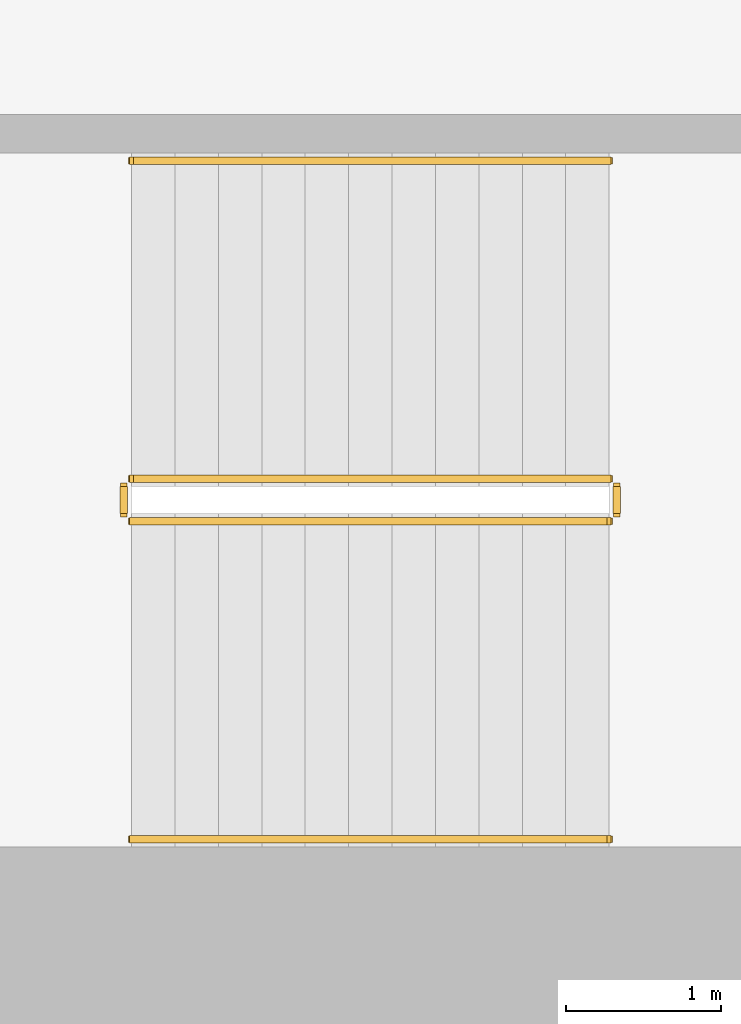
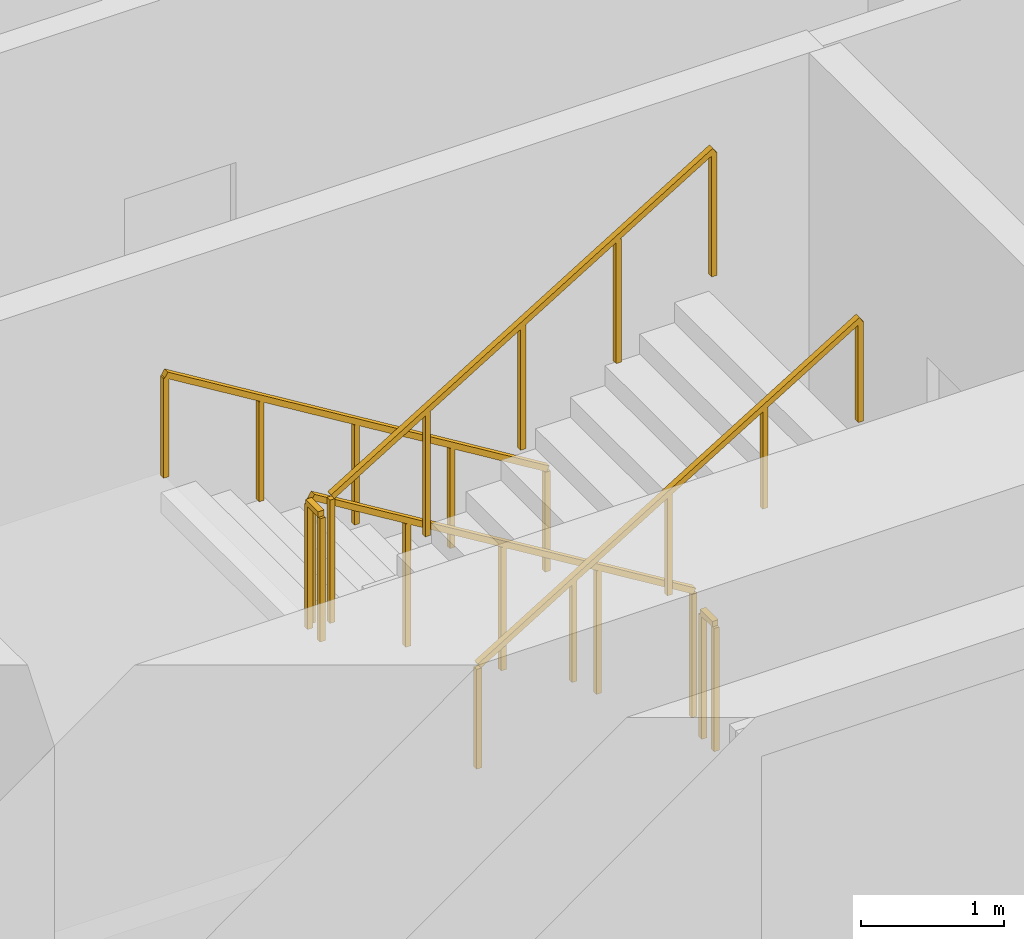
# One storey, part 11 of 15: 6 railings.
"""IFC4 building model written with IfcOpenShell, lengths in metres."""

from ifc_helpers import new_model, si_unit, direction, frame, origin, origin_2d, place, context, subcontext, project, spatial, rectangle, extrude, material, type_object, element, save


model = new_model("IFC4")

# Units and contexts
model_context = context("Model", 3, precision=1e-05, world=origin(), true_north=direction((0.0, 1.0)))
body_context = subcontext(model_context, "Body", "Model", "MODEL_VIEW")
ifc_project = project(units=[si_unit("LENGTHUNIT", "METRE"), si_unit("AREAUNIT", "SQUARE_METRE"), si_unit("VOLUMEUNIT", "CUBIC_METRE"), si_unit("PLANEANGLEUNIT", "RADIAN"), si_unit("MASSUNIT", "GRAM", prefix="KILO")], contexts=[model_context])

# Site, building, storey
site_placement = place(None, origin())
site = spatial("IfcSite", under=ifc_project, at=site_placement, CompositionType="ELEMENT")
building_placement = place(site_placement, origin())
building = spatial("IfcBuilding", under=site, at=building_placement, Name="Cypress Arch Tower", CompositionType="ELEMENT")
storey_placement = place(building_placement, frame((0.0, 0.0, 205.60009765625)))
storey = spatial("IfcBuildingStorey", under=building, at=storey_placement, Name="L45", CompositionType="ELEMENT", Elevation=205.60009765625)

# Railings
ifc_material_1 = material(Name="Black powder-coated steel square bar 48 mm", Category="steel")
railing_type_1 = type_object("IfcRailingType", Name="Stair handrail HR1", PredefinedType="HANDRAIL", material=ifc_material_1)
railing_1_placement = place(storey_placement, frame((-22.27490234375, -10.375, 0.170654296875)))
element("IfcRailing", 1, at=railing_1_placement, inside=storey, type_object=railing_type_1, Name="L45 A stair handrail 1", PredefinedType="HANDRAIL", context=body_context, shape_type="SweptSolid", body=[
    extrude(rectangle(XDim=0.048095703125, YDim=0.048095703125, at=origin_2d()), frame((0.0, 0.0, 0.8759765625), z_axis=(-0.853666305674, 0.0, 0.52082035152), x_axis=(0.0, -1.0, 0.0)), (0.0, 0.0, 1.0), 3.608154296875),
    extrude(rectangle(XDim=0.0419921875, YDim=0.0419921875, at=origin_2d()), origin(), (0.0, 0.0, 1.0), 0.851806640625),
    extrude(rectangle(XDim=0.0419921875, YDim=0.0419921875, at=origin_2d()), frame((-0.77001953125, 0.0, 0.4697265625)), (0.0, 0.0, 1.0), 0.851806640625),
    extrude(rectangle(XDim=0.0419921875, YDim=0.0419921875, at=origin_2d()), frame((-1.5400390625, 0.0, 0.939453125)), (0.0, 0.0, 1.0), 0.851806640625),
    extrude(rectangle(XDim=0.0419921875, YDim=0.0419921875, at=origin_2d()), frame((-2.31005859375, 0.0, 1.409423828125)), (0.0, 0.0, 1.0), 0.851806640625),
    extrude(rectangle(XDim=0.0419921875, YDim=0.0419921875, at=origin_2d()), frame((-3.080078125, 0.0, 1.879150390625)), (0.0, 0.0, 1.0), 0.851806640625),
])
railing_2_placement = place(storey_placement, frame((-25.35498046875, -14.75, 2.220703125)))
element("IfcRailing", 2, at=railing_2_placement, inside=storey, type_object=railing_type_1, Name="L45 A stair handrail 2", PredefinedType="HANDRAIL", context=body_context, shape_type="SweptSolid", body=[
    extrude(rectangle(XDim=0.048095703125, YDim=0.048095703125, at=origin_2d()), frame((0.0, 0.0, 0.8759765625), z_axis=(0.853666305674, 0.0, 0.52082035152), x_axis=(0.0, 1.0, 0.0)), (0.0, 0.0, 1.0), 3.608154296875),
    extrude(rectangle(XDim=0.0419921875, YDim=0.0419921875, at=origin_2d()), origin(), (0.0, 0.0, 1.0), 0.851806640625),
    extrude(rectangle(XDim=0.0419921875, YDim=0.0419921875, at=origin_2d()), frame((0.77001953125, 0.0, 0.4697265625)), (0.0, 0.0, 1.0), 0.851806640625),
    extrude(rectangle(XDim=0.0419921875, YDim=0.0419921875, at=origin_2d()), frame((1.5400390625, 0.0, 0.939453125)), (0.0, 0.0, 1.0), 0.851806640625),
    extrude(rectangle(XDim=0.0419921875, YDim=0.0419921875, at=origin_2d()), frame((2.31005859375, 0.0, 1.409423828125)), (0.0, 0.0, 1.0), 0.851806640625),
    extrude(rectangle(XDim=0.0419921875, YDim=0.0419921875, at=origin_2d()), frame((3.080078125, 0.0, 1.879150390625)), (0.0, 0.0, 1.0), 0.851806640625),
])
ifc_material_2 = material(Name="Black powder-coated steel balusters", Category="steel")
railing_type_2 = type_object("IfcRailingType", Name="Stair well guard G1", PredefinedType="GUARDRAIL", material=ifc_material_2)
railing_3_placement = place(storey_placement, frame((-22.27490234375, -12.425048828125, 0.170654296875)))
element("IfcRailing", 3, at=railing_3_placement, inside=storey, type_object=railing_type_2, Name="L45 A stair guard 1", PredefinedType="GUARDRAIL", context=body_context, shape_type="SweptSolid", body=[
    extrude(rectangle(XDim=0.048095703125, YDim=0.048095703125, at=origin_2d()), frame((0.0, 0.0, 1.076171875), z_axis=(-0.853666305674, 0.0, 0.52082035152), x_axis=(0.0, -1.0, 0.0)), (0.0, 0.0, 1.0), 3.608154296875),
    extrude(rectangle(XDim=0.0419921875, YDim=0.0419921875, at=origin_2d()), origin(), (0.0, 0.0, 1.0), 1.052001953125),
    extrude(rectangle(XDim=0.0419921875, YDim=0.0419921875, at=origin_2d()), frame((-0.77001953125, 0.0, 0.4697265625)), (0.0, 0.0, 1.0), 1.052001953125),
    extrude(rectangle(XDim=0.0419921875, YDim=0.0419921875, at=origin_2d()), frame((-1.5400390625, 0.0, 0.939453125)), (0.0, 0.0, 1.0), 1.052001953125),
    extrude(rectangle(XDim=0.0419921875, YDim=0.0419921875, at=origin_2d()), frame((-2.31005859375, 0.0, 1.409423828125)), (0.0, 0.0, 1.0), 1.052001953125),
    extrude(rectangle(XDim=0.0419921875, YDim=0.0419921875, at=origin_2d()), frame((-3.080078125, 0.0, 1.879150390625)), (0.0, 0.0, 1.0), 1.052001953125),
])
railing_4_placement = place(storey_placement, frame((-25.405029296875, -12.47509765625, 2.0498046875)))
element("IfcRailing", 4, at=railing_4_placement, inside=storey, type_object=railing_type_2, Name="L45 A stair guard 2", PredefinedType="GUARDRAIL", context=body_context, shape_type="SweptSolid", body=[
    extrude(rectangle(XDim=0.048095703125, YDim=0.048095703125, at=origin_2d()), frame((0.0, 0.0, 1.076171875), z_axis=(0.0, -1.0, 0.0), x_axis=(1.0, 0.0, 0.0)), (0.0, 0.0, 1.0), 0.1748046875),
    extrude(rectangle(XDim=0.0419921875, YDim=0.0419921875, at=origin_2d()), origin(), (0.0, 0.0, 1.0), 1.052001953125),
    extrude(rectangle(XDim=0.0419921875, YDim=0.0419921875, at=origin_2d()), frame((0.0, -0.1748046875, 0.0)), (0.0, 0.0, 1.0), 1.052001953125),
])
railing_5_placement = place(storey_placement, frame((-25.35498046875, -12.699951171875, 2.220703125)))
element("IfcRailing", 5, at=railing_5_placement, inside=storey, type_object=railing_type_2, Name="L45 A stair guard 3", PredefinedType="GUARDRAIL", context=body_context, shape_type="SweptSolid", body=[
    extrude(rectangle(XDim=0.048095703125, YDim=0.048095703125, at=origin_2d()), frame((0.0, 0.0, 1.076171875), z_axis=(0.853666305674, 0.0, 0.52082035152), x_axis=(0.0, 1.0, 0.0)), (0.0, 0.0, 1.0), 3.608154296875),
    extrude(rectangle(XDim=0.0419921875, YDim=0.0419921875, at=origin_2d()), origin(), (0.0, 0.0, 1.0), 1.052001953125),
    extrude(rectangle(XDim=0.0419921875, YDim=0.0419921875, at=origin_2d()), frame((0.77001953125, 0.0, 0.4697265625)), (0.0, 0.0, 1.0), 1.052001953125),
    extrude(rectangle(XDim=0.0419921875, YDim=0.0419921875, at=origin_2d()), frame((1.5400390625, 0.0, 0.939453125)), (0.0, 0.0, 1.0), 1.052001953125),
    extrude(rectangle(XDim=0.0419921875, YDim=0.0419921875, at=origin_2d()), frame((2.31005859375, 0.0, 1.409423828125)), (0.0, 0.0, 1.0), 1.052001953125),
    extrude(rectangle(XDim=0.0419921875, YDim=0.0419921875, at=origin_2d()), frame((3.080078125, 0.0, 1.879150390625)), (0.0, 0.0, 1.0), 1.052001953125),
])
railing_6_placement = place(storey_placement, frame((-22.22509765625, -12.47509765625, 0.0)))
element("IfcRailing", 6, at=railing_6_placement, inside=storey, type_object=railing_type_2, Name="L45 A stair guard 4", PredefinedType="GUARDRAIL", context=body_context, shape_type="SweptSolid", body=[
    extrude(rectangle(XDim=0.048095703125, YDim=0.048095703125, at=origin_2d()), frame((0.0, 0.0, 1.076171875), z_axis=(0.0, -1.0, 0.0), x_axis=(1.0, 0.0, 0.0)), (0.0, 0.0, 1.0), 0.1748046875),
    extrude(rectangle(XDim=0.0419921875, YDim=0.0419921875, at=origin_2d()), origin(), (0.0, 0.0, 1.0), 1.052001953125),
    extrude(rectangle(XDim=0.0419921875, YDim=0.0419921875, at=origin_2d()), frame((0.0, -0.1748046875, 0.0)), (0.0, 0.0, 1.0), 1.052001953125),
])

save(model, "model.ifc")
